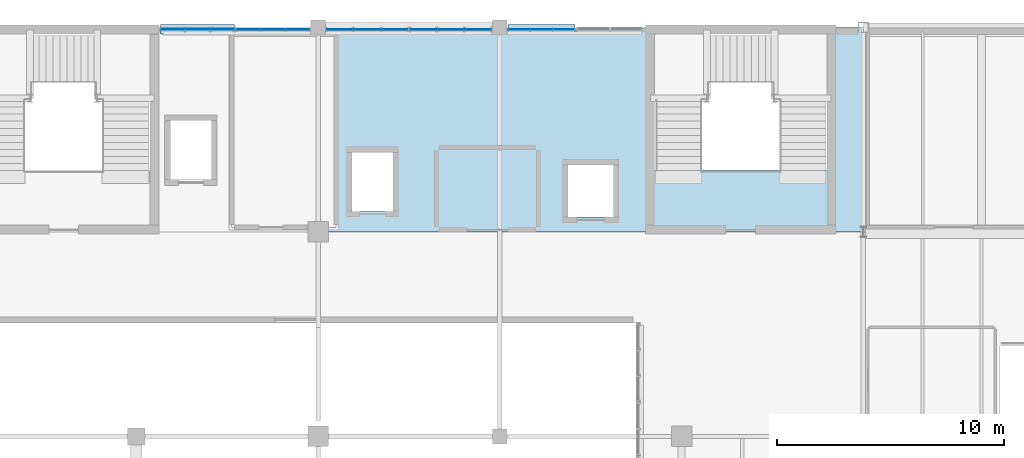
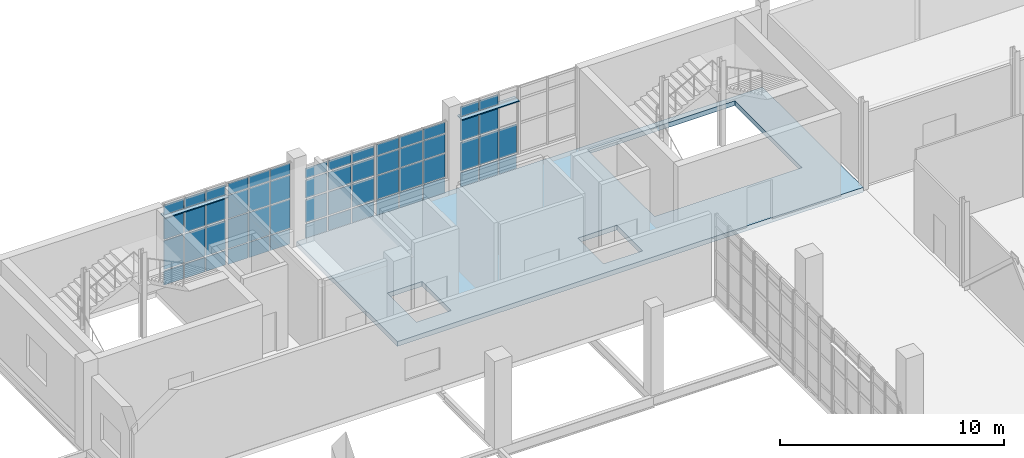
# One storey, part 72 of 100: 60 plates, 1 slab, 5 elements without a shape of their own.
"""IFC4 building model written with IfcOpenShell, lengths in metres."""

from ifc_helpers import new_model, si_unit, derived_unit, direction, frame, origin, origin_2d, place, context, subcontext, project, spatial, polyline, rectangle, outline, extrude, material, layer, layer_set, type_object, element, aggregate, save


model = new_model("IFC4")

# Units and contexts
model_context = context("Model", 3, precision=1e-05, world=origin(), true_north=direction((0.0, 1.0)))
body_context = subcontext(model_context, "Body", "Model", "MODEL_VIEW")
ifc_project = project(units=[si_unit("LENGTHUNIT", "METRE"), si_unit("AREAUNIT", "SQUARE_METRE"), si_unit("VOLUMEUNIT", "CUBIC_METRE"), si_unit("PLANEANGLEUNIT", "RADIAN"), si_unit("MASSUNIT", "GRAM", prefix="KILO"), derived_unit("THERMALTRANSMITTANCEUNIT", [(si_unit("POWERUNIT", "WATT"), 1), (si_unit("LENGTHUNIT", "METRE"), -2), (si_unit("THERMODYNAMICTEMPERATUREUNIT", "KELVIN"), -1)])], contexts=[model_context])

# Site, building, storey
site_placement = place(None, origin())
site = spatial("IfcSite", under=ifc_project, at=site_placement, CompositionType="ELEMENT")
building_placement = place(site_placement, origin())
building = spatial("IfcBuilding", under=site, at=building_placement, Name="Nallur Shell Playhouse", CompositionType="ELEMENT")
storey_placement = place(building_placement, frame((0.0, 0.0, 10.199951171875)))
storey = spatial("IfcBuildingStorey", under=building, at=storey_placement, Name="L03", CompositionType="ELEMENT", Elevation=10.199951171875)

# Curtain wall, plates
ifc_material_1 = material(Name="Anodised Aluminium Double-Glazed Facade System", Category="aluminium")
ifc_layer_1 = layer(ifc_material_1, 0.172119140625)
ifc_layer_set_1 = layer_set([ifc_layer_1], Name="Anodised Aluminium Double-Glazed Facade System")
curtain_wall_type_1 = type_object("IfcCurtainWallType", Name="CW-UNIT-09", PredefinedType="NOTDEFINED", material=ifc_layer_set_1)
curtain_wall_1_placement = place(storey_placement, origin())
curtain_wall_1 = element("IfcCurtainWall", 1, at=curtain_wall_1_placement, inside=storey, type_object=curtain_wall_type_1, Name="Unitised curtain wall CW-073 (L03)", PredefinedType="NOTDEFINED")
ifc_material_2 = material(Name="Solar-Control Low-E Laminated Insulating Glass", Category="glass")
ifc_layer_2 = layer(ifc_material_2, 0.02587890625)
ifc_layer_set_2 = layer_set([ifc_layer_2], Name="Solar-Control Low-E Laminated Insulating Glass")
plate_type_1 = type_object("IfcPlateType", Name="PT-GLZ-01", PredefinedType="CURTAIN_PANEL", material=ifc_layer_set_2)
plate_1_placement = place(storey_placement, frame((36.930419921875, 82.909912109375, 0.05712890625), z_axis=(0.0, 0.0, 1.0), x_axis=(1.0, 0.0, 0.0)))
plate_1 = element("IfcPlate", 2, at=plate_1_placement, type_object=plate_type_1, Name="CW-09 panel 1.1", PredefinedType="CURTAIN_PANEL", context=body_context, shape_type="SweptSolid", body=[
    extrude(rectangle(XDim=1.019775390625, YDim=0.02587890625, at=origin_2d()), origin(), (0.0, 0.0, 1.0), 0.818603515625),
])
plate_2_placement = place(storey_placement, frame((36.930419921875, 82.909912109375, 0.924560546875), z_axis=(0.0, 0.0, 1.0), x_axis=(1.0, 0.0, 0.0)))
plate_2 = element("IfcPlate", 3, at=plate_2_placement, type_object=plate_type_1, Name="CW-09 panel 1.2", PredefinedType="CURTAIN_PANEL", context=body_context, shape_type="SweptSolid", body=[
    extrude(rectangle(XDim=1.019775390625, YDim=0.02587890625, at=origin_2d()), origin(), (0.0, 0.0, 1.0), 1.58203125),
])
plate_3_placement = place(storey_placement, frame((36.930419921875, 82.909912109375, 2.5556640625), z_axis=(0.0, 0.0, 1.0), x_axis=(1.0, 0.0, 0.0)))
plate_3 = element("IfcPlate", 4, at=plate_3_placement, type_object=plate_type_1, Name="CW-09 panel 1.3", PredefinedType="CURTAIN_PANEL", context=body_context, shape_type="SweptSolid", body=[
    extrude(rectangle(XDim=1.019775390625, YDim=0.02587890625, at=origin_2d()), origin(), (0.0, 0.0, 1.0), 1.260009765625),
])
plate_4_placement = place(storey_placement, frame((36.930419921875, 82.909912109375, 3.86474609375), z_axis=(0.0, 0.0, 1.0), x_axis=(1.0, 0.0, 0.0)))
plate_4 = element("IfcPlate", 5, at=plate_4_placement, type_object=plate_type_1, Name="CW-09 panel 1.4", PredefinedType="CURTAIN_PANEL", context=body_context, shape_type="SweptSolid", body=[
    extrude(rectangle(XDim=1.019775390625, YDim=0.02587890625, at=origin_2d()), origin(), (0.0, 0.0, 1.0), 0.598388671875),
])
plate_5_placement = place(storey_placement, frame((38.01513671875, 82.909912109375, 0.05712890625), z_axis=(0.0, 0.0, 1.0), x_axis=(1.0, 0.0, 0.0)))
plate_5 = element("IfcPlate", 6, at=plate_5_placement, type_object=plate_type_1, Name="CW-09 panel 2.1", PredefinedType="CURTAIN_PANEL", context=body_context, shape_type="SweptSolid", body=[
    extrude(rectangle(XDim=1.05224609375, YDim=0.02587890625, at=origin_2d()), origin(), (0.0, 0.0, 1.0), 0.818603515625),
])
plate_6_placement = place(storey_placement, frame((38.01513671875, 82.909912109375, 0.924560546875), z_axis=(0.0, 0.0, 1.0), x_axis=(1.0, 0.0, 0.0)))
plate_6 = element("IfcPlate", 7, at=plate_6_placement, type_object=plate_type_1, Name="CW-09 panel 2.2", PredefinedType="CURTAIN_PANEL", context=body_context, shape_type="SweptSolid", body=[
    extrude(rectangle(XDim=1.05224609375, YDim=0.02587890625, at=origin_2d()), origin(), (0.0, 0.0, 1.0), 1.58203125),
])
plate_7_placement = place(storey_placement, frame((38.01513671875, 82.909912109375, 2.5556640625), z_axis=(0.0, 0.0, 1.0), x_axis=(1.0, 0.0, 0.0)))
plate_7 = element("IfcPlate", 8, at=plate_7_placement, type_object=plate_type_1, Name="CW-09 panel 2.3", PredefinedType="CURTAIN_PANEL", context=body_context, shape_type="SweptSolid", body=[
    extrude(rectangle(XDim=1.05224609375, YDim=0.02587890625, at=origin_2d()), origin(), (0.0, 0.0, 1.0), 1.260009765625),
])
plate_8_placement = place(storey_placement, frame((38.01513671875, 82.909912109375, 3.86474609375), z_axis=(0.0, 0.0, 1.0), x_axis=(1.0, 0.0, 0.0)))
plate_8 = element("IfcPlate", 9, at=plate_8_placement, type_object=plate_type_1, Name="CW-09 panel 2.4", PredefinedType="CURTAIN_PANEL", context=body_context, shape_type="SweptSolid", body=[
    extrude(rectangle(XDim=1.05224609375, YDim=0.02587890625, at=origin_2d()), origin(), (0.0, 0.0, 1.0), 0.598388671875),
])
plate_9_placement = place(storey_placement, frame((39.10009765625, 82.909912109375, 0.05712890625), z_axis=(0.0, 0.0, 1.0), x_axis=(1.0, 0.0, 0.0)))
plate_9 = element("IfcPlate", 10, at=plate_9_placement, type_object=plate_type_1, Name="CW-09 panel 3.1", PredefinedType="CURTAIN_PANEL", context=body_context, shape_type="SweptSolid", body=[
    extrude(rectangle(XDim=1.019775390625, YDim=0.02587890625, at=origin_2d()), origin(), (0.0, 0.0, 1.0), 0.818603515625),
])
plate_10_placement = place(storey_placement, frame((39.10009765625, 82.909912109375, 0.924560546875), z_axis=(0.0, 0.0, 1.0), x_axis=(1.0, 0.0, 0.0)))
plate_10 = element("IfcPlate", 11, at=plate_10_placement, type_object=plate_type_1, Name="CW-09 panel 3.2", PredefinedType="CURTAIN_PANEL", context=body_context, shape_type="SweptSolid", body=[
    extrude(rectangle(XDim=1.019775390625, YDim=0.02587890625, at=origin_2d()), origin(), (0.0, 0.0, 1.0), 1.58203125),
])
plate_11_placement = place(storey_placement, frame((39.10009765625, 82.909912109375, 2.5556640625), z_axis=(0.0, 0.0, 1.0), x_axis=(1.0, 0.0, 0.0)))
plate_11 = element("IfcPlate", 12, at=plate_11_placement, type_object=plate_type_1, Name="CW-09 panel 3.3", PredefinedType="CURTAIN_PANEL", context=body_context, shape_type="SweptSolid", body=[
    extrude(rectangle(XDim=1.019775390625, YDim=0.02587890625, at=origin_2d()), origin(), (0.0, 0.0, 1.0), 1.260009765625),
])
plate_12_placement = place(storey_placement, frame((39.10009765625, 82.909912109375, 3.86474609375), z_axis=(0.0, 0.0, 1.0), x_axis=(1.0, 0.0, 0.0)))
plate_12 = element("IfcPlate", 13, at=plate_12_placement, type_object=plate_type_1, Name="CW-09 panel 3.4", PredefinedType="CURTAIN_PANEL", context=body_context, shape_type="SweptSolid", body=[
    extrude(rectangle(XDim=1.019775390625, YDim=0.02587890625, at=origin_2d()), origin(), (0.0, 0.0, 1.0), 0.598388671875),
])
aggregate(curtain_wall_1, [plate_1, plate_2, plate_3, plate_4, plate_5, plate_6, plate_7, plate_8, plate_9, plate_10, plate_11, plate_12])

ifc_layer_3 = layer(ifc_material_1, 0.176025390625)
ifc_layer_set_3 = layer_set([ifc_layer_3], Name="Anodised Aluminium Double-Glazed Facade System")
curtain_wall_type_2 = type_object("IfcCurtainWallType", Name="CW-UNIT-10", PredefinedType="NOTDEFINED", material=ifc_layer_set_3)
curtain_wall_2_placement = place(storey_placement, origin())
curtain_wall_2 = element("IfcCurtainWall", 14, at=curtain_wall_2_placement, inside=storey, type_object=curtain_wall_type_2, Name="Unitised curtain wall CW-074 (L03)", PredefinedType="NOTDEFINED")
ifc_layer_4 = layer(ifc_material_2, 0.028076171875)
ifc_layer_set_4 = layer_set([ifc_layer_4], Name="Solar-Control Low-E Laminated Insulating Glass")
plate_type_2 = type_object("IfcPlateType", Name="PT-GLZ-02", PredefinedType="CURTAIN_PANEL", material=ifc_layer_set_4)
plate_13_placement = place(storey_placement, frame((40.96337890625, 82.909912109375, 0.092041015625), z_axis=(0.0, 0.0, 1.0), x_axis=(1.0, 0.0, 0.0)))
plate_13 = element("IfcPlate", 15, at=plate_13_placement, type_object=plate_type_2, Name="CW-10 panel 1.1", PredefinedType="CURTAIN_PANEL", context=body_context, shape_type="SweptSolid", body=[
    extrude(rectangle(XDim=1.11669921875, YDim=0.028076171875, at=origin_2d()), origin(), (0.0, 0.0, 1.0), 0.76611328125),
])
plate_14_placement = place(storey_placement, frame((40.96337890625, 82.909912109375, 0.942138671875), z_axis=(0.0, 0.0, 1.0), x_axis=(1.0, 0.0, 0.0)))
plate_14 = element("IfcPlate", 16, at=plate_14_placement, type_object=plate_type_2, Name="CW-10 panel 1.2", PredefinedType="CURTAIN_PANEL", context=body_context, shape_type="SweptSolid", body=[
    extrude(rectangle(XDim=1.11669921875, YDim=0.028076171875, at=origin_2d()), origin(), (0.0, 0.0, 1.0), 1.248046875),
])
plate_15_placement = place(storey_placement, frame((40.96337890625, 82.909912109375, 2.27392578125), z_axis=(0.0, 0.0, 1.0), x_axis=(1.0, 0.0, 0.0)))
plate_15 = element("IfcPlate", 17, at=plate_15_placement, type_object=plate_type_2, Name="CW-10 panel 1.3", PredefinedType="CURTAIN_PANEL", context=body_context, shape_type="SweptSolid", body=[
    extrude(rectangle(XDim=1.11669921875, YDim=0.028076171875, at=origin_2d()), origin(), (0.0, 0.0, 1.0), 0.989013671875),
])
plate_16_placement = place(storey_placement, frame((40.96337890625, 82.909912109375, 3.34716796875), z_axis=(0.0, 0.0, 1.0), x_axis=(1.0, 0.0, 0.0)))
plate_16 = element("IfcPlate", 18, at=plate_16_placement, type_object=plate_type_2, Name="CW-10 panel 1.4", PredefinedType="CURTAIN_PANEL", context=body_context, shape_type="SweptSolid", body=[
    extrude(rectangle(XDim=1.11669921875, YDim=0.028076171875, at=origin_2d()), origin(), (0.0, 0.0, 1.0), 0.5458984375),
])
plate_17_placement = place(storey_placement, frame((42.1640625, 82.909912109375, 0.092041015625), z_axis=(0.0, 0.0, 1.0), x_axis=(1.0, 0.0, 0.0)))
plate_17 = element("IfcPlate", 19, at=plate_17_placement, type_object=plate_type_2, Name="CW-10 panel 2.1", PredefinedType="CURTAIN_PANEL", context=body_context, shape_type="SweptSolid", body=[
    extrude(rectangle(XDim=1.15673828125, YDim=0.028076171875, at=origin_2d()), origin(), (0.0, 0.0, 1.0), 0.76611328125),
])
plate_18_placement = place(storey_placement, frame((42.1640625, 82.909912109375, 0.942138671875), z_axis=(0.0, 0.0, 1.0), x_axis=(1.0, 0.0, 0.0)))
plate_18 = element("IfcPlate", 20, at=plate_18_placement, type_object=plate_type_2, Name="CW-10 panel 2.2", PredefinedType="CURTAIN_PANEL", context=body_context, shape_type="SweptSolid", body=[
    extrude(rectangle(XDim=1.15673828125, YDim=0.028076171875, at=origin_2d()), origin(), (0.0, 0.0, 1.0), 1.248046875),
])
plate_19_placement = place(storey_placement, frame((42.1640625, 82.909912109375, 2.27392578125), z_axis=(0.0, 0.0, 1.0), x_axis=(1.0, 0.0, 0.0)))
plate_19 = element("IfcPlate", 21, at=plate_19_placement, type_object=plate_type_2, Name="CW-10 panel 2.3", PredefinedType="CURTAIN_PANEL", context=body_context, shape_type="SweptSolid", body=[
    extrude(rectangle(XDim=1.15673828125, YDim=0.028076171875, at=origin_2d()), origin(), (0.0, 0.0, 1.0), 0.989013671875),
])
plate_20_placement = place(storey_placement, frame((42.1640625, 82.909912109375, 3.34716796875), z_axis=(0.0, 0.0, 1.0), x_axis=(1.0, 0.0, 0.0)))
plate_20 = element("IfcPlate", 22, at=plate_20_placement, type_object=plate_type_2, Name="CW-10 panel 2.4", PredefinedType="CURTAIN_PANEL", context=body_context, shape_type="SweptSolid", body=[
    extrude(rectangle(XDim=1.15673828125, YDim=0.028076171875, at=origin_2d()), origin(), (0.0, 0.0, 1.0), 0.5458984375),
])
plate_21_placement = place(storey_placement, frame((43.36474609375, 82.909912109375, 0.092041015625), z_axis=(0.0, 0.0, 1.0), x_axis=(1.0, 0.0, 0.0)))
plate_21 = element("IfcPlate", 23, at=plate_21_placement, type_object=plate_type_2, Name="CW-10 panel 3.1", PredefinedType="CURTAIN_PANEL", context=body_context, shape_type="SweptSolid", body=[
    extrude(rectangle(XDim=1.11669921875, YDim=0.028076171875, at=origin_2d()), origin(), (0.0, 0.0, 1.0), 0.76611328125),
])
plate_22_placement = place(storey_placement, frame((43.36474609375, 82.909912109375, 0.942138671875), z_axis=(0.0, 0.0, 1.0), x_axis=(1.0, 0.0, 0.0)))
plate_22 = element("IfcPlate", 24, at=plate_22_placement, type_object=plate_type_2, Name="CW-10 panel 3.2", PredefinedType="CURTAIN_PANEL", context=body_context, shape_type="SweptSolid", body=[
    extrude(rectangle(XDim=1.11669921875, YDim=0.028076171875, at=origin_2d()), origin(), (0.0, 0.0, 1.0), 1.248046875),
])
plate_23_placement = place(storey_placement, frame((43.36474609375, 82.909912109375, 2.27392578125), z_axis=(0.0, 0.0, 1.0), x_axis=(1.0, 0.0, 0.0)))
plate_23 = element("IfcPlate", 25, at=plate_23_placement, type_object=plate_type_2, Name="CW-10 panel 3.3", PredefinedType="CURTAIN_PANEL", context=body_context, shape_type="SweptSolid", body=[
    extrude(rectangle(XDim=1.11669921875, YDim=0.028076171875, at=origin_2d()), origin(), (0.0, 0.0, 1.0), 0.989013671875),
])
plate_24_placement = place(storey_placement, frame((43.36474609375, 82.909912109375, 3.34716796875), z_axis=(0.0, 0.0, 1.0), x_axis=(1.0, 0.0, 0.0)))
plate_24 = element("IfcPlate", 26, at=plate_24_placement, type_object=plate_type_2, Name="CW-10 panel 3.4", PredefinedType="CURTAIN_PANEL", context=body_context, shape_type="SweptSolid", body=[
    extrude(rectangle(XDim=1.11669921875, YDim=0.028076171875, at=origin_2d()), origin(), (0.0, 0.0, 1.0), 0.5458984375),
])
aggregate(curtain_wall_2, [plate_13, plate_14, plate_15, plate_16, plate_17, plate_18, plate_19, plate_20, plate_21, plate_22, plate_23, plate_24])

ifc_layer_5 = layer(ifc_material_1, 0.179931640625)
ifc_layer_set_5 = layer_set([ifc_layer_5], Name="Anodised Aluminium Double-Glazed Facade System")
curtain_wall_type_3 = type_object("IfcCurtainWallType", Name="CW-UNIT-11", PredefinedType="NOTDEFINED", material=ifc_layer_set_5)
curtain_wall_3_placement = place(storey_placement, origin())
curtain_wall_3 = element("IfcCurtainWall", 27, at=curtain_wall_3_placement, inside=storey, type_object=curtain_wall_type_3, Name="Unitised curtain wall CW-075 (L03)", PredefinedType="NOTDEFINED")
ifc_layer_6 = layer(ifc_material_2, 0.030029296875)
ifc_layer_set_6 = layer_set([ifc_layer_6], Name="Solar-Control Low-E Laminated Insulating Glass")
plate_type_3 = type_object("IfcPlateType", Name="PT-GLZ-03", PredefinedType="CURTAIN_PANEL", material=ifc_layer_set_6)
plate_25_placement = place(storey_placement, frame((44.634033203125, 82.909912109375, 0.05712890625), z_axis=(0.0, 0.0, 1.0), x_axis=(1.0, 0.0, 0.0)))
plate_25 = element("IfcPlate", 28, at=plate_25_placement, type_object=plate_type_3, Name="CW-11 panel 1.1", PredefinedType="CURTAIN_PANEL", context=body_context, shape_type="SweptSolid", body=[
    extrude(rectangle(XDim=1.124267578125, YDim=0.030029296875, at=origin_2d()), origin(), (0.0, 0.0, 1.0), 0.818603515625),
])
plate_26_placement = place(storey_placement, frame((44.634033203125, 82.909912109375, 0.924560546875), z_axis=(0.0, 0.0, 1.0), x_axis=(1.0, 0.0, 0.0)))
plate_26 = element("IfcPlate", 29, at=plate_26_placement, type_object=plate_type_3, Name="CW-11 panel 1.2", PredefinedType="CURTAIN_PANEL", context=body_context, shape_type="SweptSolid", body=[
    extrude(rectangle(XDim=1.124267578125, YDim=0.030029296875, at=origin_2d()), origin(), (0.0, 0.0, 1.0), 1.27099609375),
])
plate_27_placement = place(storey_placement, frame((44.634033203125, 82.909912109375, 2.244384765625), z_axis=(0.0, 0.0, 1.0), x_axis=(1.0, 0.0, 0.0)))
plate_27 = element("IfcPlate", 30, at=plate_27_placement, type_object=plate_type_3, Name="CW-11 panel 1.3", PredefinedType="CURTAIN_PANEL", context=body_context, shape_type="SweptSolid", body=[
    extrude(rectangle(XDim=1.124267578125, YDim=0.030029296875, at=origin_2d()), origin(), (0.0, 0.0, 1.0), 1.01611328125),
])
plate_28_placement = place(storey_placement, frame((44.634033203125, 82.909912109375, 3.3095703125), z_axis=(0.0, 0.0, 1.0), x_axis=(1.0, 0.0, 0.0)))
plate_28 = element("IfcPlate", 31, at=plate_28_placement, type_object=plate_type_3, Name="CW-11 panel 1.4", PredefinedType="CURTAIN_PANEL", context=body_context, shape_type="SweptSolid", body=[
    extrude(rectangle(XDim=1.124267578125, YDim=0.030029296875, at=origin_2d()), origin(), (0.0, 0.0, 1.0), 0.598388671875),
])
plate_29_placement = place(storey_placement, frame((45.8359375, 82.909912109375, 0.05712890625), z_axis=(0.0, 0.0, 1.0), x_axis=(1.0, 0.0, 0.0)))
plate_29 = element("IfcPlate", 32, at=plate_29_placement, type_object=plate_type_3, Name="CW-11 panel 2.1", PredefinedType="CURTAIN_PANEL", context=body_context, shape_type="SweptSolid", body=[
    extrude(rectangle(XDim=1.16162109375, YDim=0.030029296875, at=origin_2d()), origin(), (0.0, 0.0, 1.0), 0.818603515625),
])
plate_30_placement = place(storey_placement, frame((45.8359375, 82.909912109375, 0.924560546875), z_axis=(0.0, 0.0, 1.0), x_axis=(1.0, 0.0, 0.0)))
plate_30 = element("IfcPlate", 33, at=plate_30_placement, type_object=plate_type_3, Name="CW-11 panel 2.2", PredefinedType="CURTAIN_PANEL", context=body_context, shape_type="SweptSolid", body=[
    extrude(rectangle(XDim=1.16162109375, YDim=0.030029296875, at=origin_2d()), origin(), (0.0, 0.0, 1.0), 1.27099609375),
])
plate_31_placement = place(storey_placement, frame((45.8359375, 82.909912109375, 2.244384765625), z_axis=(0.0, 0.0, 1.0), x_axis=(1.0, 0.0, 0.0)))
plate_31 = element("IfcPlate", 34, at=plate_31_placement, type_object=plate_type_3, Name="CW-11 panel 2.3", PredefinedType="CURTAIN_PANEL", context=body_context, shape_type="SweptSolid", body=[
    extrude(rectangle(XDim=1.16162109375, YDim=0.030029296875, at=origin_2d()), origin(), (0.0, 0.0, 1.0), 1.01611328125),
])
plate_32_placement = place(storey_placement, frame((45.8359375, 82.909912109375, 3.3095703125), z_axis=(0.0, 0.0, 1.0), x_axis=(1.0, 0.0, 0.0)))
plate_32 = element("IfcPlate", 35, at=plate_32_placement, type_object=plate_type_3, Name="CW-11 panel 2.4", PredefinedType="CURTAIN_PANEL", context=body_context, shape_type="SweptSolid", body=[
    extrude(rectangle(XDim=1.16162109375, YDim=0.030029296875, at=origin_2d()), origin(), (0.0, 0.0, 1.0), 0.598388671875),
])
plate_33_placement = place(storey_placement, frame((47.037841796875, 82.909912109375, 0.05712890625), z_axis=(0.0, 0.0, 1.0), x_axis=(1.0, 0.0, 0.0)))
plate_33 = element("IfcPlate", 36, at=plate_33_placement, type_object=plate_type_3, Name="CW-11 panel 3.1", PredefinedType="CURTAIN_PANEL", context=body_context, shape_type="SweptSolid", body=[
    extrude(rectangle(XDim=1.124267578125, YDim=0.030029296875, at=origin_2d()), origin(), (0.0, 0.0, 1.0), 0.818603515625),
])
plate_34_placement = place(storey_placement, frame((47.037841796875, 82.909912109375, 0.924560546875), z_axis=(0.0, 0.0, 1.0), x_axis=(1.0, 0.0, 0.0)))
plate_34 = element("IfcPlate", 37, at=plate_34_placement, type_object=plate_type_3, Name="CW-11 panel 3.2", PredefinedType="CURTAIN_PANEL", context=body_context, shape_type="SweptSolid", body=[
    extrude(rectangle(XDim=1.124267578125, YDim=0.030029296875, at=origin_2d()), origin(), (0.0, 0.0, 1.0), 1.27099609375),
])
plate_35_placement = place(storey_placement, frame((47.037841796875, 82.909912109375, 2.244384765625), z_axis=(0.0, 0.0, 1.0), x_axis=(1.0, 0.0, 0.0)))
plate_35 = element("IfcPlate", 38, at=plate_35_placement, type_object=plate_type_3, Name="CW-11 panel 3.3", PredefinedType="CURTAIN_PANEL", context=body_context, shape_type="SweptSolid", body=[
    extrude(rectangle(XDim=1.124267578125, YDim=0.030029296875, at=origin_2d()), origin(), (0.0, 0.0, 1.0), 1.01611328125),
])
plate_36_placement = place(storey_placement, frame((47.037841796875, 82.909912109375, 3.3095703125), z_axis=(0.0, 0.0, 1.0), x_axis=(1.0, 0.0, 0.0)))
plate_36 = element("IfcPlate", 39, at=plate_36_placement, type_object=plate_type_3, Name="CW-11 panel 3.4", PredefinedType="CURTAIN_PANEL", context=body_context, shape_type="SweptSolid", body=[
    extrude(rectangle(XDim=1.124267578125, YDim=0.030029296875, at=origin_2d()), origin(), (0.0, 0.0, 1.0), 0.598388671875),
])
aggregate(curtain_wall_3, [plate_25, plate_26, plate_27, plate_28, plate_29, plate_30, plate_31, plate_32, plate_33, plate_34, plate_35, plate_36])

ifc_layer_7 = layer(ifc_material_1, 0.159912109375)
ifc_layer_set_7 = layer_set([ifc_layer_7], Name="Anodised Aluminium Double-Glazed Facade System")
curtain_wall_type_4 = type_object("IfcCurtainWallType", Name="CW-UNIT-12", PredefinedType="NOTDEFINED", material=ifc_layer_set_7)
curtain_wall_4_placement = place(storey_placement, origin())
curtain_wall_4 = element("IfcCurtainWall", 40, at=curtain_wall_4_placement, inside=storey, type_object=curtain_wall_type_4, Name="Unitised curtain wall CW-076 (L03)", PredefinedType="NOTDEFINED")
ifc_layer_8 = layer(ifc_material_2, 0.031982421875)
ifc_layer_set_8 = layer_set([ifc_layer_8], Name="Solar-Control Low-E Laminated Insulating Glass")
plate_type_4 = type_object("IfcPlateType", Name="PT-GLZ-04", PredefinedType="CURTAIN_PANEL", material=ifc_layer_set_8)
plate_37_placement = place(storey_placement, frame((48.849853515625, 82.909912109375, 0.092041015625), z_axis=(0.0, 0.0, 1.0), x_axis=(1.0, 0.0, 0.0)))
plate_37 = element("IfcPlate", 41, at=plate_37_placement, type_object=plate_type_4, Name="CW-12 panel 1.1", PredefinedType="CURTAIN_PANEL", context=body_context, shape_type="SweptSolid", body=[
    extrude(rectangle(XDim=0.919677734375, YDim=0.031982421875, at=origin_2d()), origin(), (0.0, 0.0, 1.0), 0.76611328125),
])
plate_38_placement = place(storey_placement, frame((48.849853515625, 82.909912109375, 0.94189453125), z_axis=(0.0, 0.0, 1.0), x_axis=(1.0, 0.0, 0.0)))
plate_38 = element("IfcPlate", 42, at=plate_38_placement, type_object=plate_type_4, Name="CW-12 panel 1.2", PredefinedType="CURTAIN_PANEL", context=body_context, shape_type="SweptSolid", body=[
    extrude(rectangle(XDim=0.919677734375, YDim=0.031982421875, at=origin_2d()), origin(), (0.0, 0.0, 1.0), 1.55810546875),
])
plate_39_placement = place(storey_placement, frame((48.849853515625, 82.909912109375, 2.583984375), z_axis=(0.0, 0.0, 1.0), x_axis=(1.0, 0.0, 0.0)))
plate_39 = element("IfcPlate", 43, at=plate_39_placement, type_object=plate_type_4, Name="CW-12 panel 1.3", PredefinedType="CURTAIN_PANEL", context=body_context, shape_type="SweptSolid", body=[
    extrude(rectangle(XDim=0.919677734375, YDim=0.031982421875, at=origin_2d()), origin(), (0.0, 0.0, 1.0), 1.23388671875),
])
plate_40_placement = place(storey_placement, frame((48.849853515625, 82.909912109375, 3.902099609375), z_axis=(0.0, 0.0, 1.0), x_axis=(1.0, 0.0, 0.0)))
plate_40 = element("IfcPlate", 44, at=plate_40_placement, type_object=plate_type_4, Name="CW-12 panel 1.4", PredefinedType="CURTAIN_PANEL", context=body_context, shape_type="SweptSolid", body=[
    extrude(rectangle(XDim=0.919677734375, YDim=0.031982421875, at=origin_2d()), origin(), (0.0, 0.0, 1.0), 0.5458984375),
])
plate_41_placement = place(storey_placement, frame((49.834716796875, 82.909912109375, 0.092041015625), z_axis=(0.0, 0.0, 1.0), x_axis=(1.0, 0.0, 0.0)))
plate_41 = element("IfcPlate", 45, at=plate_41_placement, type_object=plate_type_4, Name="CW-12 panel 2.1", PredefinedType="CURTAIN_PANEL", context=body_context, shape_type="SweptSolid", body=[
    extrude(rectangle(XDim=0.9521484375, YDim=0.031982421875, at=origin_2d()), origin(), (0.0, 0.0, 1.0), 0.76611328125),
])
plate_42_placement = place(storey_placement, frame((49.834716796875, 82.909912109375, 0.94189453125), z_axis=(0.0, 0.0, 1.0), x_axis=(1.0, 0.0, 0.0)))
plate_42 = element("IfcPlate", 46, at=plate_42_placement, type_object=plate_type_4, Name="CW-12 panel 2.2", PredefinedType="CURTAIN_PANEL", context=body_context, shape_type="SweptSolid", body=[
    extrude(rectangle(XDim=0.9521484375, YDim=0.031982421875, at=origin_2d()), origin(), (0.0, 0.0, 1.0), 1.55810546875),
])
plate_43_placement = place(storey_placement, frame((49.834716796875, 82.909912109375, 2.583984375), z_axis=(0.0, 0.0, 1.0), x_axis=(1.0, 0.0, 0.0)))
plate_43 = element("IfcPlate", 47, at=plate_43_placement, type_object=plate_type_4, Name="CW-12 panel 2.3", PredefinedType="CURTAIN_PANEL", context=body_context, shape_type="SweptSolid", body=[
    extrude(rectangle(XDim=0.9521484375, YDim=0.031982421875, at=origin_2d()), origin(), (0.0, 0.0, 1.0), 1.23388671875),
])
plate_44_placement = place(storey_placement, frame((49.834716796875, 82.909912109375, 3.902099609375), z_axis=(0.0, 0.0, 1.0), x_axis=(1.0, 0.0, 0.0)))
plate_44 = element("IfcPlate", 48, at=plate_44_placement, type_object=plate_type_4, Name="CW-12 panel 2.4", PredefinedType="CURTAIN_PANEL", context=body_context, shape_type="SweptSolid", body=[
    extrude(rectangle(XDim=0.9521484375, YDim=0.031982421875, at=origin_2d()), origin(), (0.0, 0.0, 1.0), 0.5458984375),
])
plate_45_placement = place(storey_placement, frame((50.819580078125, 82.909912109375, 0.092041015625), z_axis=(0.0, 0.0, 1.0), x_axis=(1.0, 0.0, 0.0)))
plate_45 = element("IfcPlate", 49, at=plate_45_placement, type_object=plate_type_4, Name="CW-12 panel 3.1", PredefinedType="CURTAIN_PANEL", context=body_context, shape_type="SweptSolid", body=[
    extrude(rectangle(XDim=0.919677734375, YDim=0.031982421875, at=origin_2d()), origin(), (0.0, 0.0, 1.0), 0.76611328125),
])
plate_46_placement = place(storey_placement, frame((50.819580078125, 82.909912109375, 0.94189453125), z_axis=(0.0, 0.0, 1.0), x_axis=(1.0, 0.0, 0.0)))
plate_46 = element("IfcPlate", 50, at=plate_46_placement, type_object=plate_type_4, Name="CW-12 panel 3.2", PredefinedType="CURTAIN_PANEL", context=body_context, shape_type="SweptSolid", body=[
    extrude(rectangle(XDim=0.919677734375, YDim=0.031982421875, at=origin_2d()), origin(), (0.0, 0.0, 1.0), 1.55810546875),
])
aggregate(curtain_wall_4, [plate_37, plate_38, plate_39, plate_40, plate_41, plate_42, plate_43, plate_44, plate_45, plate_46])

ifc_layer_9 = layer(ifc_material_1, 0.16796875)
ifc_layer_set_9 = layer_set([ifc_layer_9], Name="Anodised Aluminium Double-Glazed Facade System")
curtain_wall_type_5 = type_object("IfcCurtainWallType", Name="CW-UNIT-08", PredefinedType="NOTDEFINED", material=ifc_layer_set_9)
curtain_wall_5_placement = place(storey_placement, origin())
curtain_wall_5 = element("IfcCurtainWall", 51, at=curtain_wall_5_placement, inside=storey, type_object=curtain_wall_type_5, Name="Unitised curtain wall CW-072 (L03)", PredefinedType="NOTDEFINED")
ifc_layer_10 = layer(ifc_material_2, 0.0400390625)
ifc_layer_set_10 = layer_set([ifc_layer_10], Name="Solar-Control Low-E Laminated Insulating Glass")
plate_type_5 = type_object("IfcPlateType", Name="PT-GLZ-08", PredefinedType="CURTAIN_PANEL", material=ifc_layer_set_10)
plate_47_placement = place(storey_placement, frame((33.619384765625, 82.909912109375, 0.092041015625), z_axis=(0.0, 0.0, 1.0), x_axis=(1.0, 0.0, 0.0)))
plate_47 = element("IfcPlate", 52, at=plate_47_placement, type_object=plate_type_5, Name="CW-08 panel 1.1", PredefinedType="CURTAIN_PANEL", context=body_context, shape_type="SweptSolid", body=[
    extrude(rectangle(XDim=1.004638671875, YDim=0.0400390625, at=origin_2d()), origin(), (0.0, 0.0, 1.0), 0.76611328125),
])
plate_48_placement = place(storey_placement, frame((33.619384765625, 82.909912109375, 0.94189453125), z_axis=(0.0, 0.0, 1.0), x_axis=(1.0, 0.0, 0.0)))
plate_48 = element("IfcPlate", 53, at=plate_48_placement, type_object=plate_type_5, Name="CW-08 panel 1.2", PredefinedType="CURTAIN_PANEL", context=body_context, shape_type="SweptSolid", body=[
    extrude(rectangle(XDim=1.004638671875, YDim=0.0400390625, at=origin_2d()), origin(), (0.0, 0.0, 1.0), 1.55810546875),
])
plate_49_placement = place(storey_placement, frame((33.619384765625, 82.909912109375, 2.583984375), z_axis=(0.0, 0.0, 1.0), x_axis=(1.0, 0.0, 0.0)))
plate_49 = element("IfcPlate", 54, at=plate_49_placement, type_object=plate_type_5, Name="CW-08 panel 1.3", PredefinedType="CURTAIN_PANEL", context=body_context, shape_type="SweptSolid", body=[
    extrude(rectangle(XDim=1.004638671875, YDim=0.0400390625, at=origin_2d()), origin(), (0.0, 0.0, 1.0), 1.23388671875),
])
plate_50_placement = place(storey_placement, frame((33.619384765625, 82.909912109375, 3.902099609375), z_axis=(0.0, 0.0, 1.0), x_axis=(1.0, 0.0, 0.0)))
plate_50 = element("IfcPlate", 55, at=plate_50_placement, type_object=plate_type_5, Name="CW-08 panel 1.4", PredefinedType="CURTAIN_PANEL", context=body_context, shape_type="SweptSolid", body=[
    extrude(rectangle(XDim=1.004638671875, YDim=0.0400390625, at=origin_2d()), origin(), (0.0, 0.0, 1.0), 0.5458984375),
])
plate_51_placement = place(storey_placement, frame((34.70166015625, 82.909912109375, 0.092041015625), z_axis=(0.0, 0.0, 1.0), x_axis=(1.0, 0.0, 0.0)))
plate_51 = element("IfcPlate", 56, at=plate_51_placement, type_object=plate_type_5, Name="CW-08 panel 2.1", PredefinedType="CURTAIN_PANEL", context=body_context, shape_type="SweptSolid", body=[
    extrude(rectangle(XDim=1.042236328125, YDim=0.0400390625, at=origin_2d()), origin(), (0.0, 0.0, 1.0), 0.76611328125),
])
plate_52_placement = place(storey_placement, frame((34.70166015625, 82.909912109375, 0.94189453125), z_axis=(0.0, 0.0, 1.0), x_axis=(1.0, 0.0, 0.0)))
plate_52 = element("IfcPlate", 57, at=plate_52_placement, type_object=plate_type_5, Name="CW-08 panel 2.2", PredefinedType="CURTAIN_PANEL", context=body_context, shape_type="SweptSolid", body=[
    extrude(rectangle(XDim=1.042236328125, YDim=0.0400390625, at=origin_2d()), origin(), (0.0, 0.0, 1.0), 1.55810546875),
])
plate_53_placement = place(storey_placement, frame((34.70166015625, 82.909912109375, 2.583984375), z_axis=(0.0, 0.0, 1.0), x_axis=(1.0, 0.0, 0.0)))
plate_53 = element("IfcPlate", 58, at=plate_53_placement, type_object=plate_type_5, Name="CW-08 panel 2.3", PredefinedType="CURTAIN_PANEL", context=body_context, shape_type="SweptSolid", body=[
    extrude(rectangle(XDim=1.042236328125, YDim=0.0400390625, at=origin_2d()), origin(), (0.0, 0.0, 1.0), 1.23388671875),
])
plate_54_placement = place(storey_placement, frame((34.70166015625, 82.909912109375, 3.902099609375), z_axis=(0.0, 0.0, 1.0), x_axis=(1.0, 0.0, 0.0)))
plate_54 = element("IfcPlate", 59, at=plate_54_placement, type_object=plate_type_5, Name="CW-08 panel 2.4", PredefinedType="CURTAIN_PANEL", context=body_context, shape_type="SweptSolid", body=[
    extrude(rectangle(XDim=1.042236328125, YDim=0.0400390625, at=origin_2d()), origin(), (0.0, 0.0, 1.0), 0.5458984375),
])
plate_55_placement = place(storey_placement, frame((35.7841796875, 82.909912109375, 0.092041015625), z_axis=(0.0, 0.0, 1.0), x_axis=(1.0, 0.0, 0.0)))
plate_55 = element("IfcPlate", 60, at=plate_55_placement, type_object=plate_type_5, Name="CW-08 panel 3.1", PredefinedType="CURTAIN_PANEL", context=body_context, shape_type="SweptSolid", body=[
    extrude(rectangle(XDim=1.004638671875, YDim=0.0400390625, at=origin_2d()), origin(), (0.0, 0.0, 1.0), 0.76611328125),
])
plate_56_placement = place(storey_placement, frame((35.7841796875, 82.909912109375, 0.94189453125), z_axis=(0.0, 0.0, 1.0), x_axis=(1.0, 0.0, 0.0)))
plate_56 = element("IfcPlate", 61, at=plate_56_placement, type_object=plate_type_5, Name="CW-08 panel 3.2", PredefinedType="CURTAIN_PANEL", context=body_context, shape_type="SweptSolid", body=[
    extrude(rectangle(XDim=1.004638671875, YDim=0.0400390625, at=origin_2d()), origin(), (0.0, 0.0, 1.0), 1.55810546875),
])
plate_57_placement = place(storey_placement, frame((35.7841796875, 82.909912109375, 2.583984375), z_axis=(0.0, 0.0, 1.0), x_axis=(1.0, 0.0, 0.0)))
plate_57 = element("IfcPlate", 62, at=plate_57_placement, type_object=plate_type_5, Name="CW-08 panel 3.3", PredefinedType="CURTAIN_PANEL", context=body_context, shape_type="SweptSolid", body=[
    extrude(rectangle(XDim=1.004638671875, YDim=0.0400390625, at=origin_2d()), origin(), (0.0, 0.0, 1.0), 1.23388671875),
])
plate_58_placement = place(storey_placement, frame((35.7841796875, 82.909912109375, 3.902099609375), z_axis=(0.0, 0.0, 1.0), x_axis=(1.0, 0.0, 0.0)))
plate_58 = element("IfcPlate", 63, at=plate_58_placement, type_object=plate_type_5, Name="CW-08 panel 3.4", PredefinedType="CURTAIN_PANEL", context=body_context, shape_type="SweptSolid", body=[
    extrude(rectangle(XDim=1.004638671875, YDim=0.0400390625, at=origin_2d()), origin(), (0.0, 0.0, 1.0), 0.5458984375),
])
aggregate(curtain_wall_5, [plate_47, plate_48, plate_49, plate_50, plate_51, plate_52, plate_53, plate_54, plate_55, plate_56, plate_57, plate_58])

# Plates
ifc_material_3 = material(Name="Terracotta & Gold-Anodised Monsoon Sunshade Blade", Category="masonry")
ifc_layer_11 = layer(ifc_material_3, 0.050048828125)
ifc_layer_set_11 = layer_set([ifc_layer_11], Name="Terracotta & Gold-Anodised Monsoon Sunshade Blade")
plate_type_6 = type_object("IfcPlateType", Name="PT-LOUVRE-02", PredefinedType="USERDEFINED", material=ifc_layer_set_11)
plate_59_placement = place(storey_placement, frame((34.70166015625, 82.909912109375, 3.8349609375), z_axis=(0.0, 0.0, 1.0), x_axis=(1.0, 0.0, 0.0)))
element("IfcPlate", 64, at=plate_59_placement, inside=storey, type_object=plate_type_6, Name="Monsoon sunshade louvre blade LV-018", ObjectType="SUNSHADE LOUVRE", PredefinedType="USERDEFINED", context=body_context, shape_type="SweptSolid", body=[
    extrude(rectangle(XDim=3.263916015625, YDim=0.419921875, at=origin_2d()), origin(), (0.0, 0.0, 1.0), 0.050048828125),
])
ifc_layer_12 = layer(ifc_material_3, 0.054931640625)
ifc_layer_set_12 = layer_set([ifc_layer_12], Name="Terracotta & Gold-Anodised Monsoon Sunshade Blade")
plate_type_7 = type_object("IfcPlateType", Name="PT-LOUVRE-03", PredefinedType="USERDEFINED", material=ifc_layer_set_12)
plate_60_placement = place(storey_placement, frame((49.834716796875, 82.909912109375, 3.83251953125), z_axis=(0.0, 0.0, 1.0), x_axis=(1.0, 0.0, 0.0)))
element("IfcPlate", 65, at=plate_60_placement, inside=storey, type_object=plate_type_7, Name="Monsoon sunshade louvre blade LV-019", ObjectType="SUNSHADE LOUVRE", PredefinedType="USERDEFINED", context=body_context, shape_type="SweptSolid", body=[
    extrude(rectangle(XDim=2.964111328125, YDim=0.419921875, at=origin_2d()), origin(), (0.0, 0.0, 1.0), 0.054931640625),
])

# Slab
ifc_material_4 = material(Name="Concrete M30", Category="concrete")
ifc_layer_13 = layer(ifc_material_4, 0.260009765625)
ifc_layer_set_13 = layer_set([ifc_layer_13], Name="Concrete M30")
slab_type = type_object("IfcSlabType", Name="SL-FLOOR-260", PredefinedType="FLOOR", material=ifc_layer_set_13)
slab_placement = place(storey_placement, frame((0.0, 0.0, -0.260009765625)))
element("IfcSlab", 66, at=slab_placement, inside=storey, type_object=slab_type, Name="L03 structural floor slab panel 10", PredefinedType="FLOOR", context=body_context, shape_type="SweptSolid", body=[
    extrude(outline(polyline([(64.0, 83.0), (64.0, 74.0), (40.0, 74.0), (40.0, 83.0), (64.0, 83.0)]), holes=[polyline([(51.0, 76.949951171875), (51.0, 74.64990234375), (53.0, 74.64990234375), (53.0, 76.949951171875), (51.0, 76.949951171875)]), polyline([(43.300048828125, 77.5), (41.5, 77.5), (41.5, 74.89990234375), (43.300048828125, 74.89990234375), (43.300048828125, 77.5)]), polyline([(62.39990234375, 76.699951171875), (62.39990234375, 82.699951171875), (54.800048828125, 82.699951171875), (54.800048828125, 76.699951171875), (62.39990234375, 76.699951171875)])]), origin(), (0.0, 0.0, 1.0), 0.260009765625),
])

save(model, "model.ifc")
